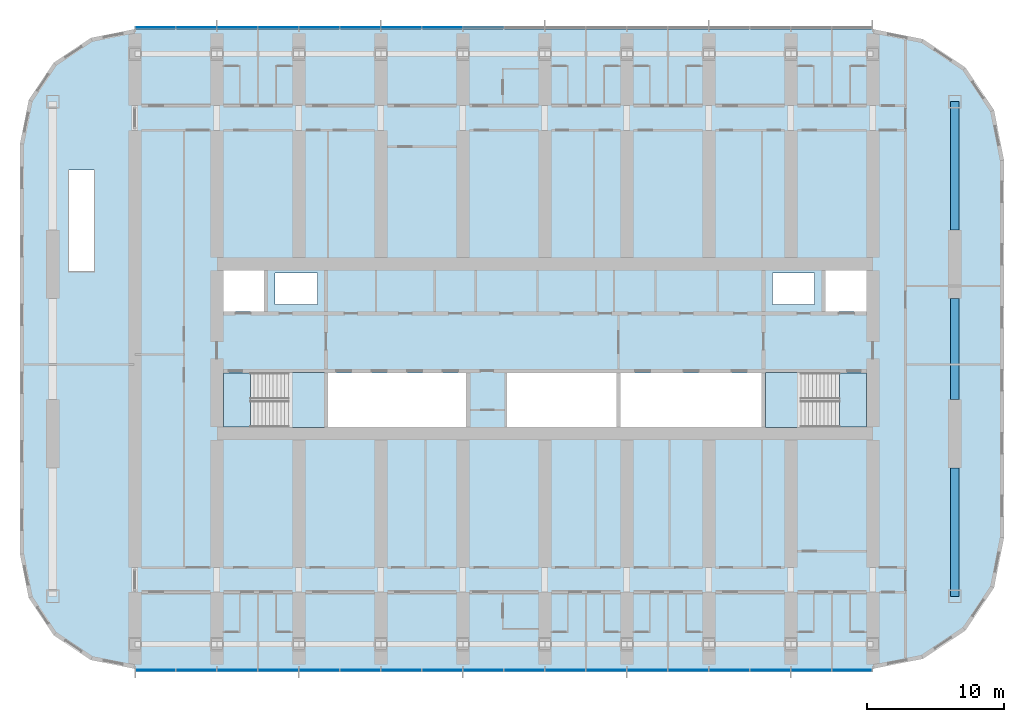
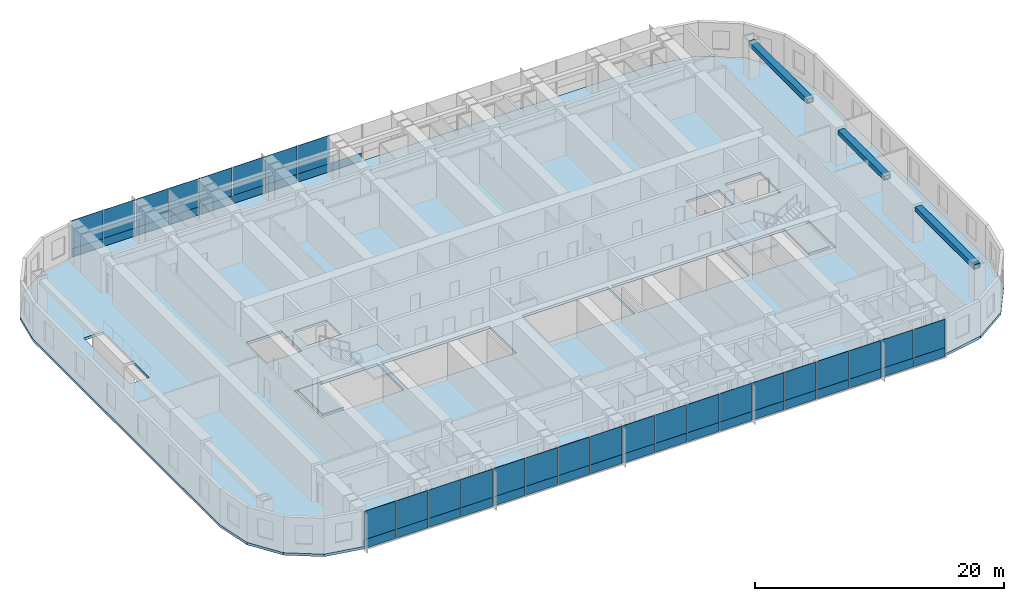
# One storey, part 6 of 21: 53 plates, 5 slabs, 3 beams, 4 elements without a shape of their own.
"""IFC4 building model written with IfcOpenShell, lengths in metres."""

from ifc_helpers import new_model, si_unit, direction, frame, origin, origin_2d, place, context, subcontext, project, spatial, polyline, rectangle, hollow_rectangle, outline, extrude, material, layer, layer_set, material_profile, profile_set, type_object, element, aggregate, save


model = new_model("IFC4")

# Units and contexts
model_context = context("Model", 3, precision=1e-05, world=origin(), true_north=direction((0.0, 1.0)))
body_context = subcontext(model_context, "Body", "Model", "MODEL_VIEW")
ifc_project = project(units=[si_unit("LENGTHUNIT", "METRE"), si_unit("AREAUNIT", "SQUARE_METRE"), si_unit("VOLUMEUNIT", "CUBIC_METRE"), si_unit("PLANEANGLEUNIT", "RADIAN"), si_unit("MASSUNIT", "GRAM", prefix="KILO")], contexts=[model_context])

# Site, building, storey
site_placement = place(None, origin())
site = spatial("IfcSite", under=ifc_project, at=site_placement, CompositionType="ELEMENT")
building_placement = place(site_placement, origin())
building = spatial("IfcBuilding", under=site, at=building_placement, Name="Orbita Commons", CompositionType="ELEMENT")
storey_placement = place(building_placement, frame((0.0, 0.0, 103.14990234375)))
storey = spatial("IfcBuildingStorey", under=building, at=storey_placement, Name="L25", CompositionType="ELEMENT", Elevation=103.14990234375)

# Beams
ifc_material_1 = material(Name="Steel ASTM A572 Gr 50 welded plate", Category="steel")
ifc_material_profile = material_profile(ifc_material_1, hollow_rectangle(XDim=0.60009765625, YDim=0.449951171875, WallThickness=0.06005859375, at=origin_2d()), Name="BOX 450x600x60")
ifc_profile_set = profile_set([ifc_material_profile], Name="Steel ASTM A572 Gr 50 welded plate")
beam_type = type_object("IfcBeamType", Name="Steel end frame link BOX 450x600x60", PredefinedType="BEAM", material=ifc_profile_set)
beam_1_placement = place(storey_placement, frame((72.0, 13.89990234375, 3.275146484375), z_axis=(0.0, 1.0, 0.0), x_axis=(-1.0, 0.0, 0.0)))
element("IfcBeam", 1, at=beam_1_placement, inside=storey, type_object=beam_type, Name="End frame beam 13 B-C L25", PredefinedType="BEAM", context=body_context, shape_type="SweptSolid", body=[
    extrude(hollow_rectangle(XDim=0.60009765625, YDim=0.449951171875, WallThickness=0.06005859375, at=origin_2d()), origin(), (0.0, 0.0, 1.0), 9.400146484375),
])
beam_2_placement = place(storey_placement, frame((72.0, 28.300048828125, 3.275146484375), z_axis=(0.0, 1.0, 0.0), x_axis=(-1.0, 0.0, 0.0)))
element("IfcBeam", 2, at=beam_2_placement, inside=storey, type_object=beam_type, Name="End frame beam 13 C-D L25", PredefinedType="BEAM", context=body_context, shape_type="SweptSolid", body=[
    extrude(hollow_rectangle(XDim=0.60009765625, YDim=0.449951171875, WallThickness=0.06005859375, at=origin_2d()), origin(), (0.0, 0.0, 1.0), 7.39990234375),
])
beam_3_placement = place(storey_placement, frame((72.0, 40.699951171875, 3.275146484375), z_axis=(0.0, 1.0, 0.0), x_axis=(-1.0, 0.0, 0.0)))
element("IfcBeam", 3, at=beam_3_placement, inside=storey, type_object=beam_type, Name="End frame beam 13 D-E L25", PredefinedType="BEAM", context=body_context, shape_type="SweptSolid", body=[
    extrude(hollow_rectangle(XDim=0.60009765625, YDim=0.449951171875, WallThickness=0.06005859375, at=origin_2d()), origin(), (0.0, 0.0, 1.0), 9.400146484375),
])

# Slab
ifc_material_2 = material(Name="Concrete C40/50", Category="concrete")
ifc_layer_1 = layer(ifc_material_2, 0.25)
ifc_layer_set_1 = layer_set([ifc_layer_1], Name="Concrete C40/50")
slab_type_1 = type_object("IfcSlabType", Name="Floor slab 250", PredefinedType="FLOOR", material=ifc_layer_set_1)
slab_1_placement = place(storey_placement, frame((0.0, 0.0, -0.25)))
element("IfcSlab", 4, at=slab_1_placement, inside=storey, type_object=slab_type_1, Name="Floor slab L25", PredefinedType="FLOOR", context=body_context, shape_type="SweptSolid", body=[
    extrude(outline(polyline([(66.0, 8.60009765625), (69.673828125, 9.330810546875), (72.788330078125, 11.411865234375), (74.869140625, 14.526123046875), (75.60009765625, 18.199951171875), (75.60009765625, 45.800048828125), (74.869140625, 49.473876953125), (72.788330078125, 52.588134765625), (69.673828125, 54.669189453125), (66.0, 55.39990234375), (12.0, 55.39990234375), (8.785400390625, 54.760498046875), (6.060302734375, 52.939697265625), (4.239501953125, 50.214599609375), (3.60009765625, 47.0), (3.60009765625, 17.0), (4.239501953125, 13.785400390625), (6.060302734375, 11.060302734375), (8.785400390625, 9.239501953125), (12.0, 8.60009765625), (66.0, 8.60009765625)]), holes=[polyline([(18.14990234375, 25.949951171875), (25.85009765625, 25.949951171875), (25.85009765625, 30.25), (18.14990234375, 30.25), (18.14990234375, 25.949951171875)]), polyline([(58.14990234375, 25.949951171875), (65.85009765625, 25.949951171875), (65.85009765625, 30.25), (58.14990234375, 30.25), (58.14990234375, 25.949951171875)]), polyline([(18.14990234375, 34.75), (21.449951171875, 34.75), (21.449951171875, 38.050048828125), (18.14990234375, 38.050048828125), (18.14990234375, 34.75)]), polyline([(62.550048828125, 34.75), (65.85009765625, 34.75), (65.85009765625, 38.050048828125), (62.550048828125, 38.050048828125), (62.550048828125, 34.75)]), polyline([(22.25, 35.25), (25.35009765625, 35.25), (25.35009765625, 37.550048828125), (22.25, 37.550048828125), (22.25, 35.25)]), polyline([(58.64990234375, 35.25), (61.75, 35.25), (61.75, 37.550048828125), (58.64990234375, 37.550048828125), (58.64990234375, 35.25)]), polyline([(26.14990234375, 25.949951171875), (36.25, 25.949951171875), (36.25, 30.25), (26.14990234375, 30.25), (26.14990234375, 25.949951171875)]), polyline([(39.25, 25.949951171875), (47.25, 25.949951171875), (47.25, 30.25), (39.25, 30.25), (39.25, 25.949951171875)]), polyline([(47.550048828125, 25.949951171875), (57.85009765625, 25.949951171875), (57.85009765625, 30.25), (47.550048828125, 30.25), (47.550048828125, 25.949951171875)]), polyline([(7.199951171875, 37.699951171875), (9.0, 37.699951171875), (9.0, 45.10009765625), (7.199951171875, 45.10009765625), (7.199951171875, 37.699951171875)])]), origin(), (0.0, 0.0, 1.0), 0.25),
])

# Curtain wall, plates
ifc_material_3 = material(Name="Anodised aluminium frame, pale silver", Category="aluminium")
curtain_wall_type = type_object("IfcCurtainWallType", Name="Unitised curtain wall CW-T, vision and spandrel", PredefinedType="NOTDEFINED", material=ifc_material_3)
curtain_wall_1_placement = place(storey_placement, origin())
curtain_wall_1 = element("IfcCurtainWall", 5, at=curtain_wall_1_placement, inside=storey, type_object=curtain_wall_type, Name="Curtain wall south L25", PredefinedType="NOTDEFINED")
ifc_material_4 = material(Name="Anodised aluminium sheet on mineral wool", Category="aluminium")
ifc_layer_2 = layer(ifc_material_4, 0.050048828125)
ifc_layer_set_2 = layer_set([ifc_layer_2], Name="Anodised aluminium sheet on mineral wool")
plate_type_1 = type_object("IfcPlateType", Name="Spandrel panel, pale aluminium over insulation 50", PredefinedType="CURTAIN_PANEL", material=ifc_layer_set_2)
plate_1_placement = place(storey_placement, frame((13.52001953125, 8.489990234375, -0.14990234375), z_axis=(0.0, 0.0, 1.0), x_axis=(1.0, 0.0, 0.0)))
plate_1 = element("IfcPlate", 6, at=plate_1_placement, type_object=plate_type_1, Name="Panel 1.1 CW-L25-S", PredefinedType="CURTAIN_PANEL", context=body_context, shape_type="SweptSolid", body=[
    extrude(rectangle(XDim=2.8798828125, YDim=0.050048828125, at=origin_2d()), origin(), (0.0, 0.0, 1.0), 0.875),
])
plate_2_placement = place(storey_placement, frame((16.5, 8.489990234375, -0.14990234375), z_axis=(0.0, 0.0, 1.0), x_axis=(1.0, 0.0, 0.0)))
plate_2 = element("IfcPlate", 7, at=plate_2_placement, type_object=plate_type_1, Name="Panel 2.1 CW-L25-S", PredefinedType="CURTAIN_PANEL", context=body_context, shape_type="SweptSolid", body=[
    extrude(rectangle(XDim=2.919921875, YDim=0.050048828125, at=origin_2d()), origin(), (0.0, 0.0, 1.0), 0.875),
])
plate_3_placement = place(storey_placement, frame((19.5, 8.489990234375, -0.14990234375), z_axis=(0.0, 0.0, 1.0), x_axis=(1.0, 0.0, 0.0)))
plate_3 = element("IfcPlate", 8, at=plate_3_placement, type_object=plate_type_1, Name="Panel 3.1 CW-L25-S", PredefinedType="CURTAIN_PANEL", context=body_context, shape_type="SweptSolid", body=[
    extrude(rectangle(XDim=2.919921875, YDim=0.050048828125, at=origin_2d()), origin(), (0.0, 0.0, 1.0), 0.875),
])
plate_4_placement = place(storey_placement, frame((22.5, 8.489990234375, -0.14990234375), z_axis=(0.0, 0.0, 1.0), x_axis=(1.0, 0.0, 0.0)))
plate_4 = element("IfcPlate", 9, at=plate_4_placement, type_object=plate_type_1, Name="Panel 4.1 CW-L25-S", PredefinedType="CURTAIN_PANEL", context=body_context, shape_type="SweptSolid", body=[
    extrude(rectangle(XDim=2.919921875, YDim=0.050048828125, at=origin_2d()), origin(), (0.0, 0.0, 1.0), 0.875),
])
plate_5_placement = place(storey_placement, frame((25.5, 8.489990234375, -0.14990234375), z_axis=(0.0, 0.0, 1.0), x_axis=(1.0, 0.0, 0.0)))
plate_5 = element("IfcPlate", 10, at=plate_5_placement, type_object=plate_type_1, Name="Panel 5.1 CW-L25-S", PredefinedType="CURTAIN_PANEL", context=body_context, shape_type="SweptSolid", body=[
    extrude(rectangle(XDim=2.919921875, YDim=0.050048828125, at=origin_2d()), origin(), (0.0, 0.0, 1.0), 0.875),
])
plate_6_placement = place(storey_placement, frame((28.5, 8.489990234375, -0.14990234375), z_axis=(0.0, 0.0, 1.0), x_axis=(1.0, 0.0, 0.0)))
plate_6 = element("IfcPlate", 11, at=plate_6_placement, type_object=plate_type_1, Name="Panel 6.1 CW-L25-S", PredefinedType="CURTAIN_PANEL", context=body_context, shape_type="SweptSolid", body=[
    extrude(rectangle(XDim=2.919921875, YDim=0.050048828125, at=origin_2d()), origin(), (0.0, 0.0, 1.0), 0.875),
])
plate_7_placement = place(storey_placement, frame((31.5, 8.489990234375, -0.14990234375), z_axis=(0.0, 0.0, 1.0), x_axis=(1.0, 0.0, 0.0)))
plate_7 = element("IfcPlate", 12, at=plate_7_placement, type_object=plate_type_1, Name="Panel 7.1 CW-L25-S", PredefinedType="CURTAIN_PANEL", context=body_context, shape_type="SweptSolid", body=[
    extrude(rectangle(XDim=2.919921875, YDim=0.050048828125, at=origin_2d()), origin(), (0.0, 0.0, 1.0), 0.875),
])
plate_8_placement = place(storey_placement, frame((34.5, 8.489990234375, -0.14990234375), z_axis=(0.0, 0.0, 1.0), x_axis=(1.0, 0.0, 0.0)))
plate_8 = element("IfcPlate", 13, at=plate_8_placement, type_object=plate_type_1, Name="Panel 8.1 CW-L25-S", PredefinedType="CURTAIN_PANEL", context=body_context, shape_type="SweptSolid", body=[
    extrude(rectangle(XDim=2.919921875, YDim=0.050048828125, at=origin_2d()), origin(), (0.0, 0.0, 1.0), 0.875),
])
plate_9_placement = place(storey_placement, frame((37.5, 8.489990234375, -0.14990234375), z_axis=(0.0, 0.0, 1.0), x_axis=(1.0, 0.0, 0.0)))
plate_9 = element("IfcPlate", 14, at=plate_9_placement, type_object=plate_type_1, Name="Panel 9.1 CW-L25-S", PredefinedType="CURTAIN_PANEL", context=body_context, shape_type="SweptSolid", body=[
    extrude(rectangle(XDim=2.919921875, YDim=0.050048828125, at=origin_2d()), origin(), (0.0, 0.0, 1.0), 0.875),
])
plate_10_placement = place(storey_placement, frame((40.5, 8.489990234375, -0.14990234375), z_axis=(0.0, 0.0, 1.0), x_axis=(1.0, 0.0, 0.0)))
plate_10 = element("IfcPlate", 15, at=plate_10_placement, type_object=plate_type_1, Name="Panel 10.1 CW-L25-S", PredefinedType="CURTAIN_PANEL", context=body_context, shape_type="SweptSolid", body=[
    extrude(rectangle(XDim=2.919921875, YDim=0.050048828125, at=origin_2d()), origin(), (0.0, 0.0, 1.0), 0.875),
])
plate_11_placement = place(storey_placement, frame((43.5, 8.489990234375, -0.14990234375), z_axis=(0.0, 0.0, 1.0), x_axis=(1.0, 0.0, 0.0)))
plate_11 = element("IfcPlate", 16, at=plate_11_placement, type_object=plate_type_1, Name="Panel 11.1 CW-L25-S", PredefinedType="CURTAIN_PANEL", context=body_context, shape_type="SweptSolid", body=[
    extrude(rectangle(XDim=2.919921875, YDim=0.050048828125, at=origin_2d()), origin(), (0.0, 0.0, 1.0), 0.875),
])
plate_12_placement = place(storey_placement, frame((46.5, 8.489990234375, -0.14990234375), z_axis=(0.0, 0.0, 1.0), x_axis=(1.0, 0.0, 0.0)))
plate_12 = element("IfcPlate", 17, at=plate_12_placement, type_object=plate_type_1, Name="Panel 12.1 CW-L25-S", PredefinedType="CURTAIN_PANEL", context=body_context, shape_type="SweptSolid", body=[
    extrude(rectangle(XDim=2.919921875, YDim=0.050048828125, at=origin_2d()), origin(), (0.0, 0.0, 1.0), 0.875),
])
plate_13_placement = place(storey_placement, frame((49.5, 8.489990234375, -0.14990234375), z_axis=(0.0, 0.0, 1.0), x_axis=(1.0, 0.0, 0.0)))
plate_13 = element("IfcPlate", 18, at=plate_13_placement, type_object=plate_type_1, Name="Panel 13.1 CW-L25-S", PredefinedType="CURTAIN_PANEL", context=body_context, shape_type="SweptSolid", body=[
    extrude(rectangle(XDim=2.919921875, YDim=0.050048828125, at=origin_2d()), origin(), (0.0, 0.0, 1.0), 0.875),
])
plate_14_placement = place(storey_placement, frame((52.5, 8.489990234375, -0.14990234375), z_axis=(0.0, 0.0, 1.0), x_axis=(1.0, 0.0, 0.0)))
plate_14 = element("IfcPlate", 19, at=plate_14_placement, type_object=plate_type_1, Name="Panel 14.1 CW-L25-S", PredefinedType="CURTAIN_PANEL", context=body_context, shape_type="SweptSolid", body=[
    extrude(rectangle(XDim=2.919921875, YDim=0.050048828125, at=origin_2d()), origin(), (0.0, 0.0, 1.0), 0.875),
])
plate_15_placement = place(storey_placement, frame((55.5, 8.489990234375, -0.14990234375), z_axis=(0.0, 0.0, 1.0), x_axis=(1.0, 0.0, 0.0)))
plate_15 = element("IfcPlate", 20, at=plate_15_placement, type_object=plate_type_1, Name="Panel 15.1 CW-L25-S", PredefinedType="CURTAIN_PANEL", context=body_context, shape_type="SweptSolid", body=[
    extrude(rectangle(XDim=2.919921875, YDim=0.050048828125, at=origin_2d()), origin(), (0.0, 0.0, 1.0), 0.875),
])
plate_16_placement = place(storey_placement, frame((58.5, 8.489990234375, -0.14990234375), z_axis=(0.0, 0.0, 1.0), x_axis=(1.0, 0.0, 0.0)))
plate_16 = element("IfcPlate", 21, at=plate_16_placement, type_object=plate_type_1, Name="Panel 16.1 CW-L25-S", PredefinedType="CURTAIN_PANEL", context=body_context, shape_type="SweptSolid", body=[
    extrude(rectangle(XDim=2.919921875, YDim=0.050048828125, at=origin_2d()), origin(), (0.0, 0.0, 1.0), 0.875),
])
plate_17_placement = place(storey_placement, frame((61.5, 8.489990234375, -0.14990234375), z_axis=(0.0, 0.0, 1.0), x_axis=(1.0, 0.0, 0.0)))
plate_17 = element("IfcPlate", 22, at=plate_17_placement, type_object=plate_type_1, Name="Panel 17.1 CW-L25-S", PredefinedType="CURTAIN_PANEL", context=body_context, shape_type="SweptSolid", body=[
    extrude(rectangle(XDim=2.919921875, YDim=0.050048828125, at=origin_2d()), origin(), (0.0, 0.0, 1.0), 0.875),
])
plate_18_placement = place(storey_placement, frame((64.47998046875, 8.489990234375, -0.14990234375), z_axis=(0.0, 0.0, 1.0), x_axis=(1.0, 0.0, 0.0)))
plate_18 = element("IfcPlate", 23, at=plate_18_placement, type_object=plate_type_1, Name="Panel 18.1 CW-L25-S", PredefinedType="CURTAIN_PANEL", context=body_context, shape_type="SweptSolid", body=[
    extrude(rectangle(XDim=2.8798828125, YDim=0.050048828125, at=origin_2d()), origin(), (0.0, 0.0, 1.0), 0.875),
])

curtain_wall_2_placement = place(storey_placement, origin())
curtain_wall_2 = element("IfcCurtainWall", 24, at=curtain_wall_2_placement, inside=storey, type_object=curtain_wall_type, Name="Curtain wall north L25", PredefinedType="NOTDEFINED")
plate_19_placement = place(storey_placement, frame((37.5, 55.510009765625, -0.14990234375), z_axis=(0.0, 0.0, 1.0), x_axis=(-1.0, 0.0, 0.0)))
plate_19 = element("IfcPlate", 25, at=plate_19_placement, type_object=plate_type_1, Name="Panel 10.1 CW-L25-N", PredefinedType="CURTAIN_PANEL", context=body_context, shape_type="SweptSolid", body=[
    extrude(rectangle(XDim=2.919921875, YDim=0.050048828125, at=origin_2d()), origin(), (0.0, 0.0, 1.0), 0.875),
])
plate_20_placement = place(storey_placement, frame((34.5, 55.510009765625, -0.14990234375), z_axis=(0.0, 0.0, 1.0), x_axis=(-1.0, 0.0, 0.0)))
plate_20 = element("IfcPlate", 26, at=plate_20_placement, type_object=plate_type_1, Name="Panel 11.1 CW-L25-N", PredefinedType="CURTAIN_PANEL", context=body_context, shape_type="SweptSolid", body=[
    extrude(rectangle(XDim=2.919921875, YDim=0.050048828125, at=origin_2d()), origin(), (0.0, 0.0, 1.0), 0.875),
])
plate_21_placement = place(storey_placement, frame((31.5, 55.510009765625, -0.14990234375), z_axis=(0.0, 0.0, 1.0), x_axis=(-1.0, 0.0, 0.0)))
plate_21 = element("IfcPlate", 27, at=plate_21_placement, type_object=plate_type_1, Name="Panel 12.1 CW-L25-N", PredefinedType="CURTAIN_PANEL", context=body_context, shape_type="SweptSolid", body=[
    extrude(rectangle(XDim=2.919921875, YDim=0.050048828125, at=origin_2d()), origin(), (0.0, 0.0, 1.0), 0.875),
])
plate_22_placement = place(storey_placement, frame((28.5, 55.510009765625, -0.14990234375), z_axis=(0.0, 0.0, 1.0), x_axis=(-1.0, 0.0, 0.0)))
plate_22 = element("IfcPlate", 28, at=plate_22_placement, type_object=plate_type_1, Name="Panel 13.1 CW-L25-N", PredefinedType="CURTAIN_PANEL", context=body_context, shape_type="SweptSolid", body=[
    extrude(rectangle(XDim=2.919921875, YDim=0.050048828125, at=origin_2d()), origin(), (0.0, 0.0, 1.0), 0.875),
])
plate_23_placement = place(storey_placement, frame((25.5, 55.510009765625, -0.14990234375), z_axis=(0.0, 0.0, 1.0), x_axis=(-1.0, 0.0, 0.0)))
plate_23 = element("IfcPlate", 29, at=plate_23_placement, type_object=plate_type_1, Name="Panel 14.1 CW-L25-N", PredefinedType="CURTAIN_PANEL", context=body_context, shape_type="SweptSolid", body=[
    extrude(rectangle(XDim=2.919921875, YDim=0.050048828125, at=origin_2d()), origin(), (0.0, 0.0, 1.0), 0.875),
])
plate_24_placement = place(storey_placement, frame((22.5, 55.510009765625, -0.14990234375), z_axis=(0.0, 0.0, 1.0), x_axis=(-1.0, 0.0, 0.0)))
plate_24 = element("IfcPlate", 30, at=plate_24_placement, type_object=plate_type_1, Name="Panel 15.1 CW-L25-N", PredefinedType="CURTAIN_PANEL", context=body_context, shape_type="SweptSolid", body=[
    extrude(rectangle(XDim=2.919921875, YDim=0.050048828125, at=origin_2d()), origin(), (0.0, 0.0, 1.0), 0.875),
])
plate_25_placement = place(storey_placement, frame((19.5, 55.510009765625, -0.14990234375), z_axis=(0.0, 0.0, 1.0), x_axis=(-1.0, 0.0, 0.0)))
plate_25 = element("IfcPlate", 31, at=plate_25_placement, type_object=plate_type_1, Name="Panel 16.1 CW-L25-N", PredefinedType="CURTAIN_PANEL", context=body_context, shape_type="SweptSolid", body=[
    extrude(rectangle(XDim=2.919921875, YDim=0.050048828125, at=origin_2d()), origin(), (0.0, 0.0, 1.0), 0.875),
])
plate_26_placement = place(storey_placement, frame((16.5, 55.510009765625, -0.14990234375), z_axis=(0.0, 0.0, 1.0), x_axis=(-1.0, 0.0, 0.0)))
plate_26 = element("IfcPlate", 32, at=plate_26_placement, type_object=plate_type_1, Name="Panel 17.1 CW-L25-N", PredefinedType="CURTAIN_PANEL", context=body_context, shape_type="SweptSolid", body=[
    extrude(rectangle(XDim=2.919921875, YDim=0.050048828125, at=origin_2d()), origin(), (0.0, 0.0, 1.0), 0.875),
])
plate_27_placement = place(storey_placement, frame((13.52001953125, 55.510009765625, -0.14990234375), z_axis=(0.0, 0.0, 1.0), x_axis=(-1.0, 0.0, 0.0)))
plate_27 = element("IfcPlate", 33, at=plate_27_placement, type_object=plate_type_1, Name="Panel 18.1 CW-L25-N", PredefinedType="CURTAIN_PANEL", context=body_context, shape_type="SweptSolid", body=[
    extrude(rectangle(XDim=2.8798828125, YDim=0.050048828125, at=origin_2d()), origin(), (0.0, 0.0, 1.0), 0.875),
])

# Stair, slabs
ifc_material_5 = material(Name="Precast concrete C40/50", Category="concrete")
stair_type_1 = type_object("IfcStairType", Name="Exit stair S1 2 flights 11 risers 170", PredefinedType="HALF_TURN_STAIR", material=ifc_material_5)
stair_1_placement = place(storey_placement, origin())
stair_1 = element("IfcStair", 34, at=stair_1_placement, inside=storey, type_object=stair_type_1, Name="Exit stair S1 L25", PredefinedType="HALF_TURN_STAIR")
ifc_material_6 = material(Name="Concrete C40/50", Category="concrete")
ifc_layer_3 = layer(ifc_material_6, 0.199951171875)
ifc_layer_set_3 = layer_set([ifc_layer_3], Name="Concrete C40/50")
slab_type_2 = type_object("IfcSlabType", Name="Stair landing 200", PredefinedType="LANDING", material=ifc_layer_set_3)
slab_2_placement = place(storey_placement, frame((0.0, 0.0, -0.199951171875)))
slab_2 = element("IfcSlab", 35, at=slab_2_placement, type_object=slab_type_2, Name="S1 landing 1", PredefinedType="LANDING", context=body_context, shape_type="SweptSolid", body=[
    extrude(outline(polyline([(18.47509765625, 26.27490234375), (20.449951171875, 26.27490234375), (20.449951171875, 30.25), (18.47509765625, 30.25), (18.47509765625, 26.27490234375)])), origin(), (0.0, 0.0, 1.0), 0.199951171875),
])
slab_3_placement = place(storey_placement, frame((0.0, 0.0, 1.675048828125)))
slab_3 = element("IfcSlab", 36, at=slab_3_placement, type_object=slab_type_2, Name="S1 landing 2", PredefinedType="LANDING", context=body_context, shape_type="SweptSolid", body=[
    extrude(outline(polyline([(23.25, 26.260009765625), (25.864990234375, 26.260009765625), (25.864990234375, 30.264892578125), (23.25, 30.264892578125), (23.25, 26.260009765625)])), origin(), (0.0, 0.0, 1.0), 0.199951171875),
])
aggregate(stair_1, [slab_2, slab_3])

ifc_material_7 = material(Name="Precast concrete C40/50", Category="concrete")
stair_type_2 = type_object("IfcStairType", Name="Exit stair S2 2 flights 11 risers 170", PredefinedType="HALF_TURN_STAIR", material=ifc_material_7)
stair_2_placement = place(storey_placement, origin())
stair_2 = element("IfcStair", 37, at=stair_2_placement, inside=storey, type_object=stair_type_2, Name="Exit stair S2 L25", PredefinedType="HALF_TURN_STAIR")
slab_4_placement = place(storey_placement, frame((0.0, 0.0, -0.199951171875)))
slab_4 = element("IfcSlab", 38, at=slab_4_placement, type_object=slab_type_2, Name="S2 landing 1", PredefinedType="LANDING", context=body_context, shape_type="SweptSolid", body=[
    extrude(outline(polyline([(63.550048828125, 26.27490234375), (65.52490234375, 26.27490234375), (65.52490234375, 30.25), (63.550048828125, 30.25), (63.550048828125, 26.27490234375)])), origin(), (0.0, 0.0, 1.0), 0.199951171875),
])
slab_5_placement = place(storey_placement, frame((0.0, 0.0, 1.675048828125)))
slab_5 = element("IfcSlab", 39, at=slab_5_placement, type_object=slab_type_2, Name="S2 landing 2", PredefinedType="LANDING", context=body_context, shape_type="SweptSolid", body=[
    extrude(outline(polyline([(58.135009765625, 26.260009765625), (60.75, 26.260009765625), (60.75, 30.264892578125), (58.135009765625, 30.264892578125), (58.135009765625, 26.260009765625)])), origin(), (0.0, 0.0, 1.0), 0.199951171875),
])
aggregate(stair_2, [slab_4, slab_5])

# Plate
ifc_material_8 = material(Name="Clear double glazing", Category="glass")
ifc_layer_4 = layer(ifc_material_8, 0.031982421875)
ifc_layer_set_4 = layer_set([ifc_layer_4], Name="Clear double glazing")
plate_type_2 = type_object("IfcPlateType", Name="Vision panel, clear double glazing 32", PredefinedType="CURTAIN_PANEL", material=ifc_layer_set_4)
plate_28_placement = place(storey_placement, frame((13.52001953125, 8.489990234375, 0.72509765625), z_axis=(0.0, 0.0, 1.0), x_axis=(1.0, 0.0, 0.0)))
plate_28 = element("IfcPlate", 40, at=plate_28_placement, type_object=plate_type_2, Name="Panel 1.2 CW-L25-S", PredefinedType="CURTAIN_PANEL", context=body_context, shape_type="SweptSolid", body=[
    extrude(rectangle(XDim=2.8798828125, YDim=0.031982421875, at=origin_2d()), origin(), (0.0, 0.0, 1.0), 2.77490234375),
])

plate_29_placement = place(storey_placement, frame((16.5, 8.489990234375, 0.72509765625), z_axis=(0.0, 0.0, 1.0), x_axis=(1.0, 0.0, 0.0)))
plate_29 = element("IfcPlate", 41, at=plate_29_placement, type_object=plate_type_2, Name="Panel 2.2 CW-L25-S", PredefinedType="CURTAIN_PANEL", context=body_context, shape_type="SweptSolid", body=[
    extrude(rectangle(XDim=2.919921875, YDim=0.031982421875, at=origin_2d()), origin(), (0.0, 0.0, 1.0), 2.77490234375),
])

plate_30_placement = place(storey_placement, frame((19.5, 8.489990234375, 0.72509765625), z_axis=(0.0, 0.0, 1.0), x_axis=(1.0, 0.0, 0.0)))
plate_30 = element("IfcPlate", 42, at=plate_30_placement, type_object=plate_type_2, Name="Panel 3.2 CW-L25-S", PredefinedType="CURTAIN_PANEL", context=body_context, shape_type="SweptSolid", body=[
    extrude(rectangle(XDim=2.919921875, YDim=0.031982421875, at=origin_2d()), origin(), (0.0, 0.0, 1.0), 2.77490234375),
])

plate_31_placement = place(storey_placement, frame((22.5, 8.489990234375, 0.72509765625), z_axis=(0.0, 0.0, 1.0), x_axis=(1.0, 0.0, 0.0)))
plate_31 = element("IfcPlate", 43, at=plate_31_placement, type_object=plate_type_2, Name="Panel 4.2 CW-L25-S", PredefinedType="CURTAIN_PANEL", context=body_context, shape_type="SweptSolid", body=[
    extrude(rectangle(XDim=2.919921875, YDim=0.031982421875, at=origin_2d()), origin(), (0.0, 0.0, 1.0), 2.77490234375),
])

plate_32_placement = place(storey_placement, frame((25.5, 8.489990234375, 0.72509765625), z_axis=(0.0, 0.0, 1.0), x_axis=(1.0, 0.0, 0.0)))
plate_32 = element("IfcPlate", 44, at=plate_32_placement, type_object=plate_type_2, Name="Panel 5.2 CW-L25-S", PredefinedType="CURTAIN_PANEL", context=body_context, shape_type="SweptSolid", body=[
    extrude(rectangle(XDim=2.919921875, YDim=0.031982421875, at=origin_2d()), origin(), (0.0, 0.0, 1.0), 2.77490234375),
])

plate_33_placement = place(storey_placement, frame((28.5, 8.489990234375, 0.72509765625), z_axis=(0.0, 0.0, 1.0), x_axis=(1.0, 0.0, 0.0)))
plate_33 = element("IfcPlate", 45, at=plate_33_placement, type_object=plate_type_2, Name="Panel 6.2 CW-L25-S", PredefinedType="CURTAIN_PANEL", context=body_context, shape_type="SweptSolid", body=[
    extrude(rectangle(XDim=2.919921875, YDim=0.031982421875, at=origin_2d()), origin(), (0.0, 0.0, 1.0), 2.77490234375),
])

plate_34_placement = place(storey_placement, frame((31.5, 8.489990234375, 0.72509765625), z_axis=(0.0, 0.0, 1.0), x_axis=(1.0, 0.0, 0.0)))
plate_34 = element("IfcPlate", 46, at=plate_34_placement, type_object=plate_type_2, Name="Panel 7.2 CW-L25-S", PredefinedType="CURTAIN_PANEL", context=body_context, shape_type="SweptSolid", body=[
    extrude(rectangle(XDim=2.919921875, YDim=0.031982421875, at=origin_2d()), origin(), (0.0, 0.0, 1.0), 2.77490234375),
])

plate_35_placement = place(storey_placement, frame((34.5, 8.489990234375, 0.72509765625), z_axis=(0.0, 0.0, 1.0), x_axis=(1.0, 0.0, 0.0)))
plate_35 = element("IfcPlate", 47, at=plate_35_placement, type_object=plate_type_2, Name="Panel 8.2 CW-L25-S", PredefinedType="CURTAIN_PANEL", context=body_context, shape_type="SweptSolid", body=[
    extrude(rectangle(XDim=2.919921875, YDim=0.031982421875, at=origin_2d()), origin(), (0.0, 0.0, 1.0), 2.77490234375),
])

plate_36_placement = place(storey_placement, frame((37.5, 8.489990234375, 0.72509765625), z_axis=(0.0, 0.0, 1.0), x_axis=(1.0, 0.0, 0.0)))
plate_36 = element("IfcPlate", 48, at=plate_36_placement, type_object=plate_type_2, Name="Panel 9.2 CW-L25-S", PredefinedType="CURTAIN_PANEL", context=body_context, shape_type="SweptSolid", body=[
    extrude(rectangle(XDim=2.919921875, YDim=0.031982421875, at=origin_2d()), origin(), (0.0, 0.0, 1.0), 2.77490234375),
])

plate_37_placement = place(storey_placement, frame((40.5, 8.489990234375, 0.72509765625), z_axis=(0.0, 0.0, 1.0), x_axis=(1.0, 0.0, 0.0)))
plate_37 = element("IfcPlate", 49, at=plate_37_placement, type_object=plate_type_2, Name="Panel 10.2 CW-L25-S", PredefinedType="CURTAIN_PANEL", context=body_context, shape_type="SweptSolid", body=[
    extrude(rectangle(XDim=2.919921875, YDim=0.031982421875, at=origin_2d()), origin(), (0.0, 0.0, 1.0), 2.77490234375),
])

plate_38_placement = place(storey_placement, frame((43.5, 8.489990234375, 0.72509765625), z_axis=(0.0, 0.0, 1.0), x_axis=(1.0, 0.0, 0.0)))
plate_38 = element("IfcPlate", 50, at=plate_38_placement, type_object=plate_type_2, Name="Panel 11.2 CW-L25-S", PredefinedType="CURTAIN_PANEL", context=body_context, shape_type="SweptSolid", body=[
    extrude(rectangle(XDim=2.919921875, YDim=0.031982421875, at=origin_2d()), origin(), (0.0, 0.0, 1.0), 2.77490234375),
])

plate_39_placement = place(storey_placement, frame((46.5, 8.489990234375, 0.72509765625), z_axis=(0.0, 0.0, 1.0), x_axis=(1.0, 0.0, 0.0)))
plate_39 = element("IfcPlate", 51, at=plate_39_placement, type_object=plate_type_2, Name="Panel 12.2 CW-L25-S", PredefinedType="CURTAIN_PANEL", context=body_context, shape_type="SweptSolid", body=[
    extrude(rectangle(XDim=2.919921875, YDim=0.031982421875, at=origin_2d()), origin(), (0.0, 0.0, 1.0), 2.77490234375),
])

plate_40_placement = place(storey_placement, frame((49.5, 8.489990234375, 0.72509765625), z_axis=(0.0, 0.0, 1.0), x_axis=(1.0, 0.0, 0.0)))
plate_40 = element("IfcPlate", 52, at=plate_40_placement, type_object=plate_type_2, Name="Panel 13.2 CW-L25-S", PredefinedType="CURTAIN_PANEL", context=body_context, shape_type="SweptSolid", body=[
    extrude(rectangle(XDim=2.919921875, YDim=0.031982421875, at=origin_2d()), origin(), (0.0, 0.0, 1.0), 2.77490234375),
])

plate_41_placement = place(storey_placement, frame((52.5, 8.489990234375, 0.72509765625), z_axis=(0.0, 0.0, 1.0), x_axis=(1.0, 0.0, 0.0)))
plate_41 = element("IfcPlate", 53, at=plate_41_placement, type_object=plate_type_2, Name="Panel 14.2 CW-L25-S", PredefinedType="CURTAIN_PANEL", context=body_context, shape_type="SweptSolid", body=[
    extrude(rectangle(XDim=2.919921875, YDim=0.031982421875, at=origin_2d()), origin(), (0.0, 0.0, 1.0), 2.77490234375),
])

plate_42_placement = place(storey_placement, frame((55.5, 8.489990234375, 0.72509765625), z_axis=(0.0, 0.0, 1.0), x_axis=(1.0, 0.0, 0.0)))
plate_42 = element("IfcPlate", 54, at=plate_42_placement, type_object=plate_type_2, Name="Panel 15.2 CW-L25-S", PredefinedType="CURTAIN_PANEL", context=body_context, shape_type="SweptSolid", body=[
    extrude(rectangle(XDim=2.919921875, YDim=0.031982421875, at=origin_2d()), origin(), (0.0, 0.0, 1.0), 2.77490234375),
])

plate_43_placement = place(storey_placement, frame((58.5, 8.489990234375, 0.72509765625), z_axis=(0.0, 0.0, 1.0), x_axis=(1.0, 0.0, 0.0)))
plate_43 = element("IfcPlate", 55, at=plate_43_placement, type_object=plate_type_2, Name="Panel 16.2 CW-L25-S", PredefinedType="CURTAIN_PANEL", context=body_context, shape_type="SweptSolid", body=[
    extrude(rectangle(XDim=2.919921875, YDim=0.031982421875, at=origin_2d()), origin(), (0.0, 0.0, 1.0), 2.77490234375),
])

plate_44_placement = place(storey_placement, frame((61.5, 8.489990234375, 0.72509765625), z_axis=(0.0, 0.0, 1.0), x_axis=(1.0, 0.0, 0.0)))
plate_44 = element("IfcPlate", 56, at=plate_44_placement, type_object=plate_type_2, Name="Panel 17.2 CW-L25-S", PredefinedType="CURTAIN_PANEL", context=body_context, shape_type="SweptSolid", body=[
    extrude(rectangle(XDim=2.919921875, YDim=0.031982421875, at=origin_2d()), origin(), (0.0, 0.0, 1.0), 2.77490234375),
])

plate_45_placement = place(storey_placement, frame((64.47998046875, 8.489990234375, 0.72509765625), z_axis=(0.0, 0.0, 1.0), x_axis=(1.0, 0.0, 0.0)))
plate_45 = element("IfcPlate", 57, at=plate_45_placement, type_object=plate_type_2, Name="Panel 18.2 CW-L25-S", PredefinedType="CURTAIN_PANEL", context=body_context, shape_type="SweptSolid", body=[
    extrude(rectangle(XDim=2.8798828125, YDim=0.031982421875, at=origin_2d()), origin(), (0.0, 0.0, 1.0), 2.77490234375),
])

aggregate(curtain_wall_1, [plate_1, plate_28, plate_2, plate_29, plate_3, plate_30, plate_4, plate_31, plate_5, plate_32, plate_6, plate_33, plate_7, plate_34, plate_8, plate_35, plate_9, plate_36, plate_10, plate_37, plate_11, plate_38, plate_12, plate_39, plate_13, plate_40, plate_14, plate_41, plate_15, plate_42, plate_16, plate_43, plate_17, plate_44, plate_18, plate_45])

plate_46_placement = place(storey_placement, frame((34.5, 55.510009765625, 0.72509765625), z_axis=(0.0, 0.0, 1.0), x_axis=(-1.0, 0.0, 0.0)))
plate_46 = element("IfcPlate", 58, at=plate_46_placement, type_object=plate_type_2, Name="Panel 11.2 CW-L25-N", PredefinedType="CURTAIN_PANEL", context=body_context, shape_type="SweptSolid", body=[
    extrude(rectangle(XDim=2.919921875, YDim=0.031982421875, at=origin_2d()), origin(), (0.0, 0.0, 1.0), 2.77490234375),
])

plate_47_placement = place(storey_placement, frame((31.5, 55.510009765625, 0.72509765625), z_axis=(0.0, 0.0, 1.0), x_axis=(-1.0, 0.0, 0.0)))
plate_47 = element("IfcPlate", 59, at=plate_47_placement, type_object=plate_type_2, Name="Panel 12.2 CW-L25-N", PredefinedType="CURTAIN_PANEL", context=body_context, shape_type="SweptSolid", body=[
    extrude(rectangle(XDim=2.919921875, YDim=0.031982421875, at=origin_2d()), origin(), (0.0, 0.0, 1.0), 2.77490234375),
])

plate_48_placement = place(storey_placement, frame((28.5, 55.510009765625, 0.72509765625), z_axis=(0.0, 0.0, 1.0), x_axis=(-1.0, 0.0, 0.0)))
plate_48 = element("IfcPlate", 60, at=plate_48_placement, type_object=plate_type_2, Name="Panel 13.2 CW-L25-N", PredefinedType="CURTAIN_PANEL", context=body_context, shape_type="SweptSolid", body=[
    extrude(rectangle(XDim=2.919921875, YDim=0.031982421875, at=origin_2d()), origin(), (0.0, 0.0, 1.0), 2.77490234375),
])

plate_49_placement = place(storey_placement, frame((25.5, 55.510009765625, 0.72509765625), z_axis=(0.0, 0.0, 1.0), x_axis=(-1.0, 0.0, 0.0)))
plate_49 = element("IfcPlate", 61, at=plate_49_placement, type_object=plate_type_2, Name="Panel 14.2 CW-L25-N", PredefinedType="CURTAIN_PANEL", context=body_context, shape_type="SweptSolid", body=[
    extrude(rectangle(XDim=2.919921875, YDim=0.031982421875, at=origin_2d()), origin(), (0.0, 0.0, 1.0), 2.77490234375),
])

plate_50_placement = place(storey_placement, frame((22.5, 55.510009765625, 0.72509765625), z_axis=(0.0, 0.0, 1.0), x_axis=(-1.0, 0.0, 0.0)))
plate_50 = element("IfcPlate", 62, at=plate_50_placement, type_object=plate_type_2, Name="Panel 15.2 CW-L25-N", PredefinedType="CURTAIN_PANEL", context=body_context, shape_type="SweptSolid", body=[
    extrude(rectangle(XDim=2.919921875, YDim=0.031982421875, at=origin_2d()), origin(), (0.0, 0.0, 1.0), 2.77490234375),
])

plate_51_placement = place(storey_placement, frame((19.5, 55.510009765625, 0.72509765625), z_axis=(0.0, 0.0, 1.0), x_axis=(-1.0, 0.0, 0.0)))
plate_51 = element("IfcPlate", 63, at=plate_51_placement, type_object=plate_type_2, Name="Panel 16.2 CW-L25-N", PredefinedType="CURTAIN_PANEL", context=body_context, shape_type="SweptSolid", body=[
    extrude(rectangle(XDim=2.919921875, YDim=0.031982421875, at=origin_2d()), origin(), (0.0, 0.0, 1.0), 2.77490234375),
])

plate_52_placement = place(storey_placement, frame((16.5, 55.510009765625, 0.72509765625), z_axis=(0.0, 0.0, 1.0), x_axis=(-1.0, 0.0, 0.0)))
plate_52 = element("IfcPlate", 64, at=plate_52_placement, type_object=plate_type_2, Name="Panel 17.2 CW-L25-N", PredefinedType="CURTAIN_PANEL", context=body_context, shape_type="SweptSolid", body=[
    extrude(rectangle(XDim=2.919921875, YDim=0.031982421875, at=origin_2d()), origin(), (0.0, 0.0, 1.0), 2.77490234375),
])

plate_53_placement = place(storey_placement, frame((13.52001953125, 55.510009765625, 0.72509765625), z_axis=(0.0, 0.0, 1.0), x_axis=(-1.0, 0.0, 0.0)))
plate_53 = element("IfcPlate", 65, at=plate_53_placement, type_object=plate_type_2, Name="Panel 18.2 CW-L25-N", PredefinedType="CURTAIN_PANEL", context=body_context, shape_type="SweptSolid", body=[
    extrude(rectangle(XDim=2.8798828125, YDim=0.031982421875, at=origin_2d()), origin(), (0.0, 0.0, 1.0), 2.77490234375),
])

aggregate(curtain_wall_2, [plate_19, plate_20, plate_46, plate_21, plate_47, plate_22, plate_48, plate_23, plate_49, plate_24, plate_50, plate_25, plate_51, plate_26, plate_52, plate_27, plate_53])

save(model, "model.ifc")
